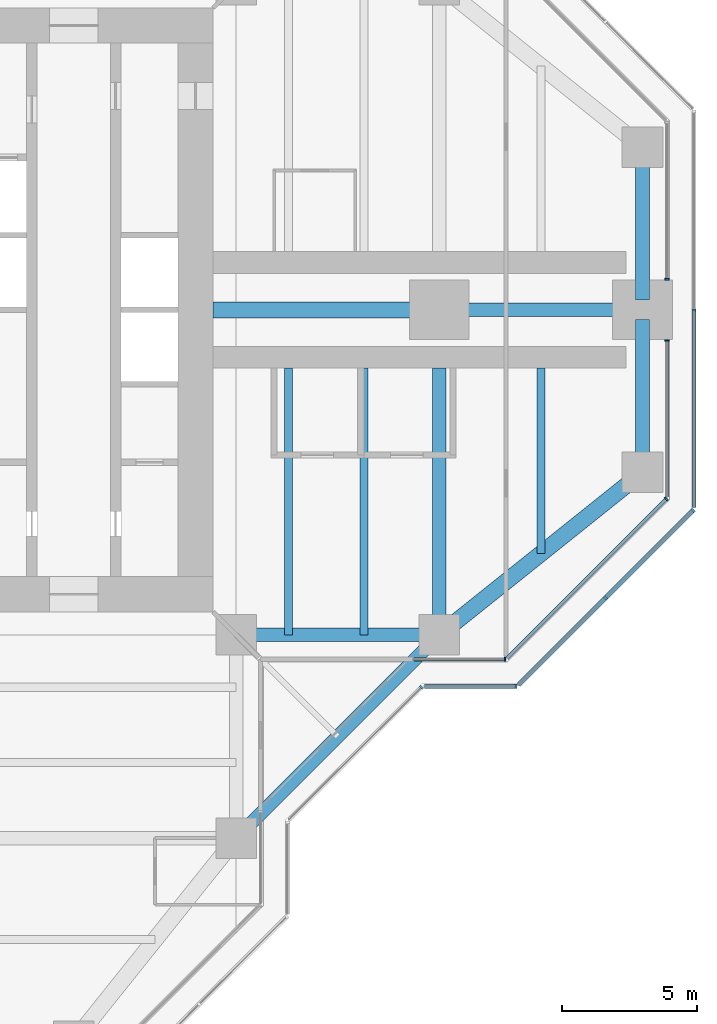
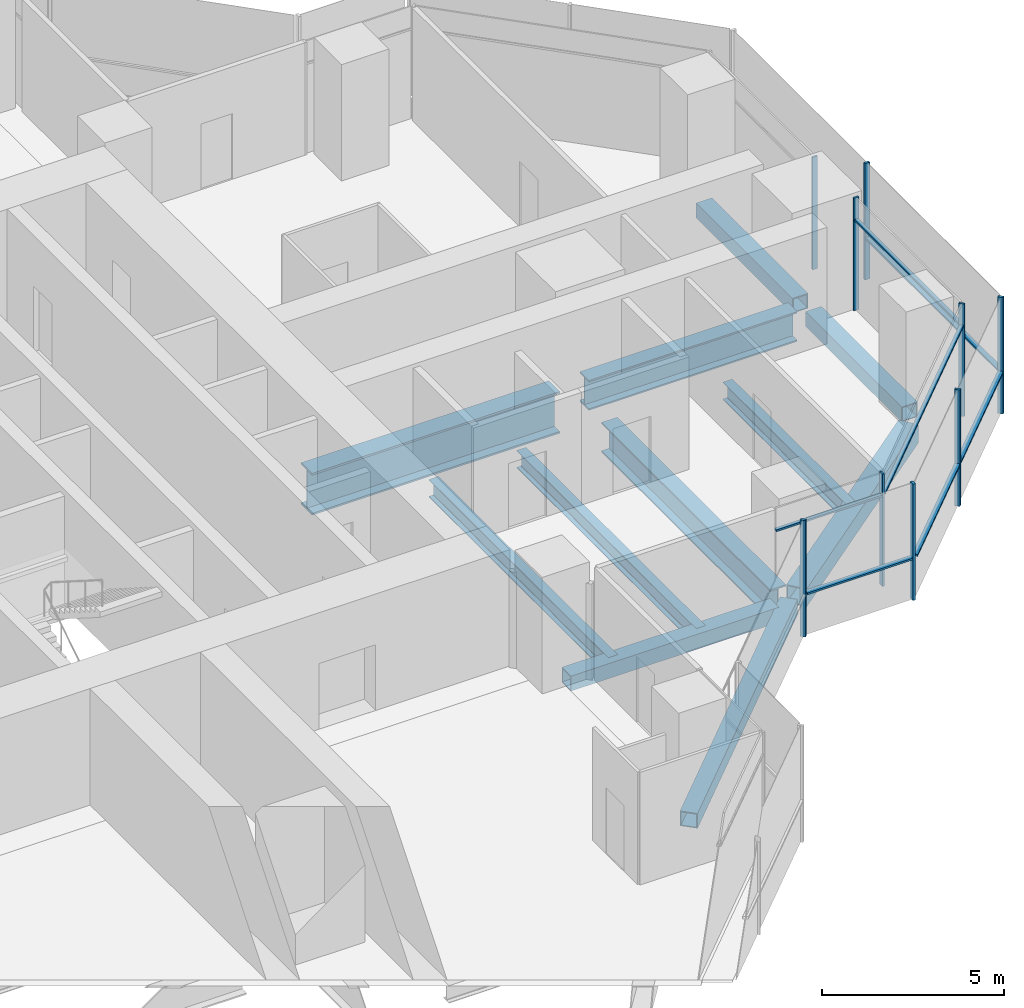
# One storey, part 5 of 17: 16 members, 11 beams, 8 elements without a shape of their own.
"""IFC4 building model written with IfcOpenShell, lengths in metres."""

from ifc_helpers import new_model, si_unit, direction, frame, origin, origin_2d, place, context, subcontext, project, spatial, rectangle, hollow_rectangle, i_section, extrude, material, material_profile, profile_set, type_object, element, aggregate, save


model = new_model("IFC4")

# Units and contexts
model_context = context("Model", 3, precision=1e-05, world=origin(), true_north=direction((0.0, 1.0)))
body_context = subcontext(model_context, "Body", "Model", "MODEL_VIEW")
ifc_project = project(units=[si_unit("LENGTHUNIT", "METRE"), si_unit("AREAUNIT", "SQUARE_METRE"), si_unit("VOLUMEUNIT", "CUBIC_METRE"), si_unit("PLANEANGLEUNIT", "RADIAN"), si_unit("MASSUNIT", "GRAM", prefix="KILO")], contexts=[model_context])

# Site, building, storey
site_placement = place(None, origin())
site = spatial("IfcSite", under=ifc_project, at=site_placement, CompositionType="ELEMENT")
building_placement = place(site_placement, origin())
building = spatial("IfcBuilding", under=site, at=building_placement, Name="Mizan Broadcast Tower", CompositionType="ELEMENT")
storey_placement = place(building_placement, frame((0.0, 0.0, 236.10009765625)))
storey = spatial("IfcBuildingStorey", under=building, at=storey_placement, Name="L55", CompositionType="ELEMENT", Elevation=236.10009765625)

# Beams
ifc_material_1 = material(Name="Steel S355", Category="steel")
ifc_material_profile_1 = material_profile(ifc_material_1, hollow_rectangle(XDim=0.5, YDim=0.5, WallThickness=0.030029296875, at=origin_2d()), Name="BOX 500x500x30")
ifc_profile_set_1 = profile_set([ifc_material_profile_1], Name="Steel S355")
beam_type_1 = type_object("IfcBeamType", Name="EDGE BEAM BOX 500x500x30", PredefinedType="SPANDREL", material=ifc_profile_set_1)
beam_1_placement = place(storey_placement, frame((12.449951171875, -12.0, -0.380126953125), z_axis=(1.0, 0.0, 0.0), x_axis=(0.0, 1.0, 0.0)))
element("IfcBeam", 1, at=beam_1_placement, inside=storey, type_object=beam_type_1, Name="Edge beam BOX 500x500x30 L55 east arm", PredefinedType="SPANDREL", context=body_context, shape_type="SweptSolid", body=[
    extrude(hollow_rectangle(XDim=0.5, YDim=0.5, WallThickness=0.030029296875, at=origin_2d()), origin(), (0.0, 0.0, 1.0), 6.60009765625),
])
for number, where, z_axis, x_axis, name in (
    (2, (27.0, -5.639892578125, -0.380126953125), (0.0, 1.0, 0.0), (-1.0, 0.0, 0.0), "Edge beam BOX 500x500x30 L55 east arm"),
    (3, (27.0, 5.639892578125, -0.380126953125), (0.0, -1.0, 0.0), (1.0, 0.0, 0.0), "Edge beam BOX 500x500x30 L55 east arm"),
):
    element("IfcBeam", number, at=place(storey_placement, frame(where, z_axis=z_axis, x_axis=x_axis)), inside=storey, type_object=beam_type_1, Name=name, PredefinedType="SPANDREL", context=body_context, shape_type="SweptSolid", body=[
        extrude(hollow_rectangle(XDim=0.5, YDim=0.5, WallThickness=0.030029296875, at=origin_2d()), origin(), (0.0, 0.0, 1.0), 5.27978515625),
    ])
beam_2_placement = place(storey_placement, frame((12.0, -19.5, -0.380126953125), z_axis=(0.707106781187, 0.707106781187, 0.0), x_axis=(-0.707106781187, 0.707106781187, 0.0)))
element("IfcBeam", 4, at=beam_2_placement, inside=storey, type_object=beam_type_1, Name="Winter garden edge beam L55 S", PredefinedType="SPANDREL", context=body_context, shape_type="SweptSolid", body=[
    extrude(hollow_rectangle(XDim=0.5, YDim=0.5, WallThickness=0.030029296875, at=origin_2d()), origin(), (0.0, 0.0, 1.0), 10.606689453125),
])
ifc_material_2 = material(Name="Steel S355", Category="steel")
ifc_material_profile_2 = material_profile(ifc_material_2, hollow_rectangle(XDim=0.60009765625, YDim=0.60009765625, WallThickness=0.030029296875, at=origin_2d()), Name="BOX 600x600x30")
ifc_profile_set_2 = profile_set([ifc_material_profile_2], Name="Steel S355")
beam_type_2 = type_object("IfcBeamType", Name="EDGE BEAM BOX 600x600x30", PredefinedType="SPANDREL", material=ifc_profile_set_2)
beam_3_placement = place(storey_placement, frame((19.949951171875, -11.639892578125, -0.43017578125), z_axis=(0.780885717636, 0.624673911726, 0.0), x_axis=(-0.624673911726, 0.780885717636, 0.0)))
element("IfcBeam", 5, at=beam_3_placement, inside=storey, type_object=beam_type_2, Name="Edge beam BOX 600x600x30 L55 east arm", PredefinedType="SPANDREL", context=body_context, shape_type="SweptSolid", body=[
    extrude(hollow_rectangle(XDim=0.60009765625, YDim=0.60009765625, WallThickness=0.030029296875, at=origin_2d()), origin(), (0.0, 0.0, 1.0), 8.4521484375),
])
ifc_material_3 = material(Name="Steel S460", Category="steel")
ifc_material_profile_3 = material_profile(ifc_material_3, i_section(OverallWidth=0.5, OverallDepth=1.0, WebThickness=0.02490234375, FlangeThickness=0.050048828125, at=origin_2d()), Name="WPG 1000x500")
ifc_profile_set_3 = profile_set([ifc_material_profile_3], Name="Steel S460")
beam_type_3 = type_object("IfcBeamType", Name="GIRDER WPG 1000x500", PredefinedType="BEAM", material=ifc_profile_set_3)
beam_4_placement = place(storey_placement, frame((19.949951171875, 0.0, -0.630126953125), z_axis=(1.0, 0.0, 0.0), x_axis=(0.0, 1.0, 0.0)))
element("IfcBeam", 6, at=beam_4_placement, inside=storey, type_object=beam_type_3, Name="Girder WPG 1000x500 L55 east arm", PredefinedType="BEAM", context=body_context, shape_type="SweptSolid", body=[
    extrude(i_section(OverallWidth=0.5, OverallDepth=1.0, WebThickness=0.02490234375, FlangeThickness=0.050048828125, at=origin_2d()), origin(), (0.0, 0.0, 1.0), 6.60009765625),
])
beam_5_placement = place(storey_placement, frame((19.5, -11.408935546875, -0.630126953125), z_axis=(0.0, 1.0, 0.0), x_axis=(-1.0, 0.0, 0.0)))
element("IfcBeam", 7, at=beam_5_placement, inside=storey, type_object=beam_type_3, Name="Girder WPG 1000x500 L55 east arm", PredefinedType="BEAM", context=body_context, shape_type="SweptSolid", body=[
    extrude(i_section(OverallWidth=0.5, OverallDepth=1.0, WebThickness=0.02490234375, FlangeThickness=0.050048828125, at=origin_2d()), origin(), (0.0, 0.0, 1.0), 9.259033203125),
])
ifc_material_4 = material(Name="Steel S460", Category="steel")
ifc_material_profile_4 = material_profile(ifc_material_4, i_section(OverallWidth=0.60009765625, OverallDepth=1.39990234375, WebThickness=0.02490234375, FlangeThickness=0.06005859375, at=origin_2d()), Name="WPG 1400x600")
ifc_profile_set_4 = profile_set([ifc_material_profile_4], Name="Steel S460")
beam_type_4 = type_object("IfcBeamType", Name="GIRDER WPG 1400x600", PredefinedType="BEAM", material=ifc_profile_set_4)
beam_6_placement = place(storey_placement, frame((11.14990234375, 0.0, -0.830078125), z_axis=(1.0, 0.0, 0.0), x_axis=(0.0, 1.0, 0.0)))
element("IfcBeam", 8, at=beam_6_placement, inside=storey, type_object=beam_type_4, Name="Girder WPG 1400x600 L55 east arm", PredefinedType="BEAM", context=body_context, shape_type="SweptSolid", body=[
    extrude(i_section(OverallWidth=0.60009765625, OverallDepth=1.39990234375, WebThickness=0.02490234375, FlangeThickness=0.06005859375, at=origin_2d()), origin(), (0.0, 0.0, 1.0), 7.84912109375),
])

# Curtain wall, member
ifc_material_5 = material(Name="Aluminium framed glazing", Category="aluminium")
curtain_wall_type_1 = type_object("IfcCurtainWallType", Name="INNER SKIN HIGH ZONE", PredefinedType="USERDEFINED", material=ifc_material_5)
curtain_wall_1_placement = place(storey_placement, origin())
curtain_wall_1 = element("IfcCurtainWall", 9, at=curtain_wall_1_placement, inside=storey, type_object=curtain_wall_type_1, Name="Inner skin high zone L55 E side", ObjectType="INNER SKIN HIGH ZONE", PredefinedType="USERDEFINED")
ifc_material_6 = material(Name="Aluminium, pale anodised", Category="aluminium")
ifc_material_profile_5 = material_profile(ifc_material_6, rectangle(XDim=0.159912109375, YDim=0.06005859375, at=origin_2d()), Name="MULLION 160x60")
ifc_profile_set_5 = profile_set([ifc_material_profile_5], Name="Aluminium, pale anodised")
member_type_1 = type_object("IfcMemberType", Name="INNER SKIN MULLION 60x160", PredefinedType="MULLION", material=ifc_profile_set_5)
member_1_placement = place(storey_placement, frame((21.928466796875, -12.89990234375, 0.0), z_axis=(0.0, 0.0, 1.0), x_axis=(0.0, 1.0, 0.0)))
member_1 = element("IfcMember", 10, at=member_1_placement, type_object=member_type_1, Name="Inner skin high zone L55 E side mullion 2", PredefinedType="MULLION", context=body_context, shape_type="SweptSolid", body=[
    extrude(rectangle(XDim=0.159912109375, YDim=0.06005859375, at=origin_2d()), origin(), (0.0, 0.0, 1.0), 3.77001953125),
])

curtain_wall_2_placement = place(storey_placement, origin())
curtain_wall_2 = element("IfcCurtainWall", 11, at=curtain_wall_2_placement, inside=storey, type_object=curtain_wall_type_1, Name="Inner skin high zone L55 E chamfer", ObjectType="INNER SKIN HIGH ZONE", PredefinedType="USERDEFINED")
member_2_placement = place(storey_placement, frame((27.87890625, -6.979736328125, 0.0), z_axis=(0.0, 0.0, 1.0), x_axis=(-0.707106781187, 0.707106781187, 0.0)))
member_2 = element("IfcMember", 12, at=member_2_placement, type_object=member_type_1, Name="Inner skin high zone L55 E chamfer mullion 2", PredefinedType="MULLION", context=body_context, shape_type="SweptSolid", body=[
    extrude(rectangle(XDim=0.159912109375, YDim=0.06005859375, at=origin_2d()), origin(), (0.0, 0.0, 1.0), 3.77001953125),
])

curtain_wall_3_placement = place(storey_placement, origin())
curtain_wall_3 = element("IfcCurtainWall", 13, at=curtain_wall_3_placement, inside=storey, type_object=curtain_wall_type_1, Name="Inner skin high zone L55 E end", ObjectType="INNER SKIN HIGH ZONE", PredefinedType="USERDEFINED")
member_3_placement = place(storey_placement, frame((27.89990234375, -1.1298828125, 0.0), z_axis=(0.0, 0.0, 1.0), x_axis=(-1.0, 0.0, 0.0)))
member_3 = element("IfcMember", 14, at=member_3_placement, type_object=member_type_1, Name="Inner skin high zone L55 E end mullion 2", PredefinedType="MULLION", context=body_context, shape_type="SweptSolid", body=[
    extrude(rectangle(XDim=0.159912109375, YDim=0.06005859375, at=origin_2d()), origin(), (0.0, 0.0, 1.0), 3.77001953125),
])

curtain_wall_4_placement = place(storey_placement, origin())
curtain_wall_4 = element("IfcCurtainWall", 15, at=curtain_wall_4_placement, inside=storey, type_object=curtain_wall_type_1, Name="Inner skin high zone L55 E end", ObjectType="INNER SKIN HIGH ZONE", PredefinedType="USERDEFINED")
member_4_placement = place(storey_placement, frame((27.89990234375, 1.1298828125, 0.0), z_axis=(0.0, 0.0, 1.0), x_axis=(-1.0, 0.0, 0.0)))
member_4 = element("IfcMember", 16, at=member_4_placement, type_object=member_type_1, Name="Inner skin high zone L55 E end mullion 1", PredefinedType="MULLION", context=body_context, shape_type="SweptSolid", body=[
    extrude(rectangle(XDim=0.159912109375, YDim=0.06005859375, at=origin_2d()), origin(), (0.0, 0.0, 1.0), 3.77001953125),
])
aggregate(curtain_wall_4, [member_4])

# Member
ifc_material_7 = material(Name="Aluminium, pale anodised", Category="aluminium")
ifc_material_profile_6 = material_profile(ifc_material_7, rectangle(XDim=0.1201171875, YDim=0.06005859375, at=origin_2d()), Name="TRANSOM 120x60")
ifc_profile_set_6 = profile_set([ifc_material_profile_6], Name="Aluminium, pale anodised")
member_type_2 = type_object("IfcMemberType", Name="INNER SKIN TRANSOM 60x120", PredefinedType="USERDEFINED", material=ifc_profile_set_6)
member_5_placement = place(storey_placement, frame((18.56005859375, -12.89990234375, 3.02978515625), z_axis=(1.0, 0.0, 0.0), x_axis=(0.0, 1.0, 0.0)))
member_5 = element("IfcMember", 17, at=member_5_placement, type_object=member_type_2, Name="Inner skin high zone L55 E side transom 1.1", ObjectType="TRANSOM", PredefinedType="USERDEFINED", context=body_context, shape_type="SweptSolid", body=[
    extrude(rectangle(XDim=0.1201171875, YDim=0.06005859375, at=origin_2d()), origin(), (0.0, 0.0, 1.0), 3.338623046875),
])

aggregate(curtain_wall_1, [member_1, member_5])

member_6_placement = place(storey_placement, frame((22.0009765625, -12.857666015625, 3.02978515625), z_axis=(0.707106781187, 0.707106781187, 0.0), x_axis=(-0.707106781187, 0.707106781187, 0.0)))
member_6 = element("IfcMember", 18, at=member_6_placement, type_object=member_type_2, Name="Inner skin high zone L55 E chamfer transom 1.1", ObjectType="TRANSOM", PredefinedType="USERDEFINED", context=body_context, shape_type="SweptSolid", body=[
    extrude(rectangle(XDim=0.1201171875, YDim=0.06005859375, at=origin_2d()), origin(), (0.0, 0.0, 1.0), 8.28271484375),
])

aggregate(curtain_wall_2, [member_2, member_6])

member_7_placement = place(storey_placement, frame((27.89990234375, -6.898681640625, 3.02978515625), z_axis=(0.0, 1.0, 0.0), x_axis=(-1.0, 0.0, 0.0)))
member_7 = element("IfcMember", 19, at=member_7_placement, type_object=member_type_2, Name="Inner skin high zone L55 E end transom 1.1", ObjectType="TRANSOM", PredefinedType="USERDEFINED", context=body_context, shape_type="SweptSolid", body=[
    extrude(rectangle(XDim=0.1201171875, YDim=0.06005859375, at=origin_2d()), origin(), (0.0, 0.0, 1.0), 5.73876953125),
])

aggregate(curtain_wall_3, [member_3, member_7])

# Curtain wall, members
ifc_material_8 = material(Name="Aluminium framed glazing", Category="aluminium")
curtain_wall_type_2 = type_object("IfcCurtainWallType", Name="OUTER SKIN", PredefinedType="USERDEFINED", material=ifc_material_8)
curtain_wall_5_placement = place(storey_placement, origin())
curtain_wall_5 = element("IfcCurtainWall", 20, at=curtain_wall_5_placement, inside=storey, type_object=curtain_wall_type_2, Name="Outer skin L55 E chamfer", ObjectType="OUTER SKIN", PredefinedType="USERDEFINED")
ifc_material_9 = material(Name="Aluminium, pale anodised", Category="aluminium")
ifc_material_profile_7 = material_profile(ifc_material_9, rectangle(XDim=0.159912109375, YDim=0.080078125, at=origin_2d()), Name="MULLION 160x80")
ifc_profile_set_7 = profile_set([ifc_material_profile_7], Name="Aluminium, pale anodised")
member_type_3 = type_object("IfcMemberType", Name="OUTER SKIN MULLION 80x160", PredefinedType="MULLION", material=ifc_profile_set_7)
member_8_placement = place(storey_placement, frame((25.636474609375, -10.636474609375, 0.0), z_axis=(0.0, 0.0, 1.0), x_axis=(-0.707106781187, 0.707106781187, 0.0)))
member_8 = element("IfcMember", 21, at=member_8_placement, type_object=member_type_3, Name="Outer skin L55 E chamfer mullion 2", PredefinedType="MULLION", context=body_context, shape_type="SweptSolid", body=[
    extrude(rectangle(XDim=0.159912109375, YDim=0.080078125, at=origin_2d()), origin(), (0.0, 0.0, 1.0), 3.89990234375),
])
member_9_placement = place(storey_placement, frame((28.871826171875, -7.401123046875, 0.0), z_axis=(0.0, 0.0, 1.0), x_axis=(-0.707106781187, 0.707106781187, 0.0)))
member_9 = element("IfcMember", 22, at=member_9_placement, type_object=member_type_3, Name="Outer skin L55 E chamfer mullion 3", PredefinedType="MULLION", context=body_context, shape_type="SweptSolid", body=[
    extrude(rectangle(XDim=0.159912109375, YDim=0.080078125, at=origin_2d()), origin(), (0.0, 0.0, 1.0), 3.89990234375),
])

# Curtain wall, member
curtain_wall_6_placement = place(storey_placement, origin())
curtain_wall_6 = element("IfcCurtainWall", 23, at=curtain_wall_6_placement, inside=storey, type_object=curtain_wall_type_2, Name="Outer skin L55 E end", ObjectType="OUTER SKIN", PredefinedType="USERDEFINED")
member_10_placement = place(storey_placement, frame((28.89990234375, 0.0, 0.0), z_axis=(0.0, 0.0, 1.0), x_axis=(-1.0, 0.0, 0.0)))
member_10 = element("IfcMember", 24, at=member_10_placement, type_object=member_type_3, Name="Outer skin L55 E end mullion 2", PredefinedType="MULLION", context=body_context, shape_type="SweptSolid", body=[
    extrude(rectangle(XDim=0.159912109375, YDim=0.080078125, at=origin_2d()), origin(), (0.0, 0.0, 1.0), 3.89990234375),
])

curtain_wall_7_placement = place(storey_placement, origin())
curtain_wall_7 = element("IfcCurtainWall", 25, at=curtain_wall_7_placement, inside=storey, type_object=curtain_wall_type_2, Name="Outer skin L55 E chamfer", ObjectType="OUTER SKIN", PredefinedType="USERDEFINED")
member_11_placement = place(storey_placement, frame((18.844482421875, -13.92822265625, 0.0), z_axis=(0.0, 0.0, 1.0), x_axis=(-0.707106781187, 0.707106781187, 0.0)))
member_11 = element("IfcMember", 26, at=member_11_placement, type_object=member_type_3, Name="Outer skin L55 E chamfer mullion 2", PredefinedType="MULLION", context=body_context, shape_type="SweptSolid", body=[
    extrude(rectangle(XDim=0.159912109375, YDim=0.080078125, at=origin_2d()), origin(), (0.0, 0.0, 1.0), 3.89990234375),
])
aggregate(curtain_wall_7, [member_11])

curtain_wall_8_placement = place(storey_placement, origin())
curtain_wall_8 = element("IfcCurtainWall", 27, at=curtain_wall_8_placement, inside=storey, type_object=curtain_wall_type_2, Name="Outer skin L55 E side", ObjectType="OUTER SKIN", PredefinedType="USERDEFINED")
member_12_placement = place(storey_placement, frame((22.332763671875, -13.89990234375, 0.0), z_axis=(0.0, 0.0, 1.0), x_axis=(0.0, 1.0, 0.0)))
member_12 = element("IfcMember", 28, at=member_12_placement, type_object=member_type_3, Name="Outer skin L55 E side mullion 2", PredefinedType="MULLION", context=body_context, shape_type="SweptSolid", body=[
    extrude(rectangle(XDim=0.159912109375, YDim=0.080078125, at=origin_2d()), origin(), (0.0, 0.0, 1.0), 3.89990234375),
])

# Member
ifc_material_10 = material(Name="Aluminium, pale anodised", Category="aluminium")
ifc_material_profile_8 = material_profile(ifc_material_10, rectangle(XDim=0.159912109375, YDim=0.06005859375, at=origin_2d()), Name="TRANSOM 160x60")
ifc_profile_set_8 = profile_set([ifc_material_profile_8], Name="Aluminium, pale anodised")
member_type_4 = type_object("IfcMemberType", Name="OUTER SKIN TRANSOM 60x160", PredefinedType="USERDEFINED", material=ifc_profile_set_8)
member_13_placement = place(storey_placement, frame((22.429443359375, -13.843505859375, 1.39990234375), z_axis=(0.707106781187, 0.707106781187, 0.0), x_axis=(-0.707106781187, 0.707106781187, 0.0)))
member_13 = element("IfcMember", 29, at=member_13_placement, type_object=member_type_4, Name="Outer skin L55 E chamfer transom 1.1", ObjectType="TRANSOM", PredefinedType="USERDEFINED", context=body_context, shape_type="SweptSolid", body=[
    extrude(rectangle(XDim=0.159912109375, YDim=0.06005859375, at=origin_2d()), origin(), (0.0, 0.0, 1.0), 4.495361328125),
])

member_14_placement = place(storey_placement, frame((25.664794921875, -10.608154296875, 1.39990234375), z_axis=(0.707106781187, 0.707106781187, 0.0), x_axis=(-0.707106781187, 0.707106781187, 0.0)))
member_14 = element("IfcMember", 30, at=member_14_placement, type_object=member_type_4, Name="Outer skin L55 E chamfer transom 2.1", ObjectType="TRANSOM", PredefinedType="USERDEFINED", context=body_context, shape_type="SweptSolid", body=[
    extrude(rectangle(XDim=0.159912109375, YDim=0.06005859375, at=origin_2d()), origin(), (0.0, 0.0, 1.0), 4.495361328125),
])

aggregate(curtain_wall_5, [member_8, member_9, member_13, member_14])

member_15_placement = place(storey_placement, frame((28.89990234375, -7.292724609375, 1.39990234375), z_axis=(0.0, 1.0, 0.0), x_axis=(-1.0, 0.0, 0.0)))
member_15 = element("IfcMember", 31, at=member_15_placement, type_object=member_type_4, Name="Outer skin L55 E end transom 1.1", ObjectType="TRANSOM", PredefinedType="USERDEFINED", context=body_context, shape_type="SweptSolid", body=[
    extrude(rectangle(XDim=0.159912109375, YDim=0.06005859375, at=origin_2d()), origin(), (0.0, 0.0, 1.0), 7.252685546875),
])

aggregate(curtain_wall_6, [member_10, member_15])

member_16_placement = place(storey_placement, frame((18.952880859375, -13.89990234375, 1.39990234375), z_axis=(1.0, 0.0, 0.0), x_axis=(0.0, 1.0, 0.0)))
member_16 = element("IfcMember", 32, at=member_16_placement, type_object=member_type_4, Name="Outer skin L55 E side transom 1.1", ObjectType="TRANSOM", PredefinedType="USERDEFINED", context=body_context, shape_type="SweptSolid", body=[
    extrude(rectangle(XDim=0.159912109375, YDim=0.06005859375, at=origin_2d()), origin(), (0.0, 0.0, 1.0), 3.33984375),
])

aggregate(curtain_wall_8, [member_12, member_16])

# Beams
ifc_material_11 = material(Name="Steel S355", Category="steel")
ifc_material_profile_9 = material_profile(ifc_material_11, i_section(OverallWidth=0.300048828125, OverallDepth=0.590087890625, WebThickness=0.012939453125, FlangeThickness=0.02490234375, FilletRadius=0.027099609375, at=origin_2d()), Name="HEA 600")
ifc_profile_set_9 = profile_set([ifc_material_profile_9], Name="Steel S355")
beam_type_5 = type_object("IfcBeamType", Name="SECONDARY BEAM HEA 600", PredefinedType="JOIST", material=ifc_profile_set_9)
for number, where, z_axis, x_axis, name in (
    (33, (13.933349609375, -12.0, -0.425048828125), (0.0, 1.0, 0.0), (-1.0, 0.0, 0.0), "Secondary beam HEA 600 L55 east arm"),
    (34, (16.716552734375, -12.0, -0.425048828125), (0.0, 1.0, 0.0), (-1.0, 0.0, 0.0), "Secondary beam HEA 600 L55 east arm"),
):
    element("IfcBeam", number, at=place(storey_placement, frame(where, z_axis=z_axis, x_axis=x_axis)), inside=storey, type_object=beam_type_5, Name=name, PredefinedType="JOIST", context=body_context, shape_type="SweptSolid", body=[
        extrude(i_section(OverallWidth=0.300048828125, OverallDepth=0.590087890625, WebThickness=0.012939453125, FlangeThickness=0.02490234375, FilletRadius=0.027099609375, at=origin_2d()), origin(), (0.0, 0.0, 1.0), 9.85009765625),
    ])
beam_7_placement = place(storey_placement, frame((23.25, -9.0, -0.425048828125), z_axis=(0.0, 1.0, 0.0), x_axis=(-1.0, 0.0, 0.0)))
element("IfcBeam", 35, at=beam_7_placement, inside=storey, type_object=beam_type_5, Name="Secondary beam HEA 600 L55 east arm", PredefinedType="JOIST", context=body_context, shape_type="SweptSolid", body=[
    extrude(i_section(OverallWidth=0.300048828125, OverallDepth=0.590087890625, WebThickness=0.012939453125, FlangeThickness=0.02490234375, FilletRadius=0.027099609375, at=origin_2d()), origin(), (0.0, 0.0, 1.0), 6.85009765625),
])

save(model, "model.ifc")
